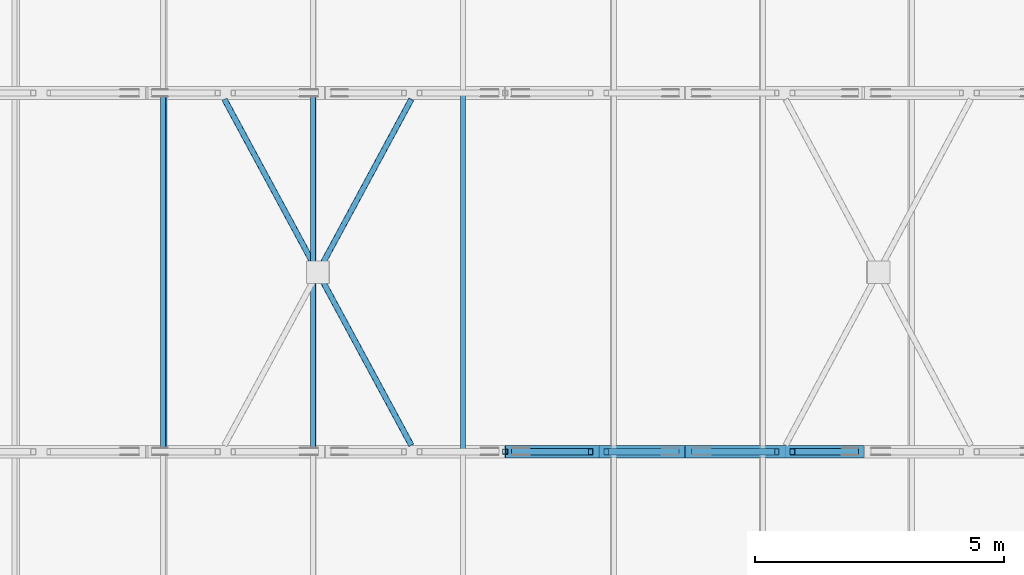
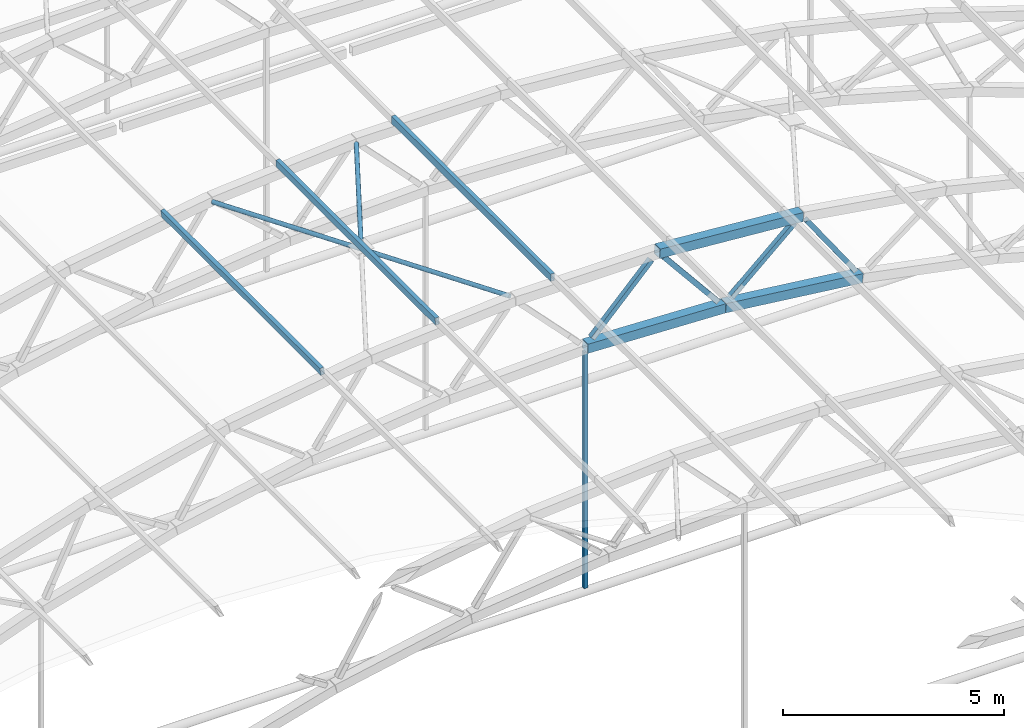
# One storey, part 55 of 127: 13 members.
"""IFC4 building model written with IfcOpenShell, lengths in metres."""

from ifc_helpers import new_model, si_unit, direction, frame, origin, origin_2d, place, context, subcontext, project, spatial, hollow_rectangle, hollow_circle, extrude, material, material_profile, profile_set, type_object, element, save


model = new_model("IFC4")

# Units and contexts
model_context = context("Model", 3, precision=1e-05, world=origin(), true_north=direction((0.0, 1.0)))
body_context = subcontext(model_context, "Body", "Model", "MODEL_VIEW")
ifc_project = project(units=[si_unit("LENGTHUNIT", "METRE"), si_unit("AREAUNIT", "SQUARE_METRE"), si_unit("VOLUMEUNIT", "CUBIC_METRE"), si_unit("PLANEANGLEUNIT", "RADIAN"), si_unit("MASSUNIT", "GRAM", prefix="KILO")], contexts=[model_context])

# Site, building, storey
site_placement = place(None, origin())
site = spatial("IfcSite", under=ifc_project, at=site_placement, CompositionType="ELEMENT")
building_placement = place(site_placement, origin())
building = spatial("IfcBuilding", under=site, at=building_placement, Name="Verrick Yard Athletic Hall", CompositionType="ELEMENT")
storey_placement = place(building_placement, frame((0.0, 0.0, 14.0)))
storey = spatial("IfcBuildingStorey", under=building, at=storey_placement, Name="L03", CompositionType="ELEMENT", Elevation=14.0)

# Members
ifc_material = material(Name="Structural steel HSS Class C 350W (CSA G40.20/G40.21)", Category="steel")
ifc_material_profile_1 = material_profile(ifc_material, hollow_rectangle(XDim=0.25390625, YDim=0.25390625, WallThickness=0.009521484375, at=origin_2d()), Name="HSS254x254x9.5")
ifc_profile_set_1 = profile_set([ifc_material_profile_1], Name="Structural steel HSS Class C 350W (CSA G40.20/G40.21)")
member_type_1 = type_object("IfcMemberType", Name="HB bottom chord HSS254x254x9.5", PredefinedType="CHORD", material=ifc_profile_set_1)
member_1_placement = place(storey_placement, frame((145.60498046875, 86.39990234375, 6.757080078125), z_axis=(0.999229759959, 0.0, -0.039241391579), x_axis=(0.0, 1.0, 0.0)))
element("IfcMember", 1, at=member_1_placement, inside=storey, type_object=member_type_1, Name="Truss TA3 bottom chord 8", PredefinedType="CHORD", context=body_context, shape_type="SweptSolid", body=[
    extrude(hollow_rectangle(XDim=0.25390625, YDim=0.25390625, WallThickness=0.009521484375, at=origin_2d()), origin(), (0.0, 0.0, 1.0), 3.595947265625),
])
member_2_placement = place(storey_placement, frame((149.208251953125, 86.39990234375, 6.615234375), z_axis=(0.993094882284, 0.0, -0.117313915545), x_axis=(0.0, 1.0, 0.0)))
element("IfcMember", 2, at=member_2_placement, inside=storey, type_object=member_type_1, Name="Truss TA3 bottom chord 9", PredefinedType="CHORD", context=body_context, shape_type="SweptSolid", body=[
    extrude(hollow_rectangle(XDim=0.25390625, YDim=0.25390625, WallThickness=0.009521484375, at=origin_2d()), origin(), (0.0, 0.0, 1.0), 3.59619140625),
])
ifc_material_profile_2 = material_profile(ifc_material, hollow_rectangle(XDim=0.1015625, YDim=0.203125, WallThickness=0.009521484375, at=origin_2d()), Name="HSS203x102x9.5")
ifc_profile_set_2 = profile_set([ifc_material_profile_2], Name="Structural steel HSS Class C 350W (CSA G40.20/G40.21)")
member_type_2 = type_object("IfcMemberType", Name="HB purlin HSS203x102x9.5", PredefinedType="PURLIN", material=ifc_profile_set_2)
for number, where, z_axis, x_axis, name in (
    (3, (138.750244140625, 86.39990234375, 8.464599609375), (0.0, 1.0, 0.0), (-0.987728086354, 0.0, -0.156183313539), "HB-PU-A-3-7"),
    (4, (141.747802734375, 86.39990234375, 8.794677734375), (0.0, 1.0, 0.0), (-0.996927304266, 0.0, -0.078332305011), "HB-PU-A-3-8"),
    (5, (144.759765625, 86.39990234375, 8.948974609375), (0.0, 1.0, 0.0), (-1.0, 0.0, 0.0), "HB-PU-A-3-9"),
):
    element("IfcMember", number, at=place(storey_placement, frame(where, z_axis=z_axis, x_axis=x_axis)), inside=storey, type_object=member_type_2, Name=name, PredefinedType="PURLIN", context=body_context, shape_type="SweptSolid", body=[
        extrude(hollow_rectangle(XDim=0.1015625, YDim=0.203125, WallThickness=0.009521484375, at=origin_2d()), origin(), (0.0, 0.0, 1.0), 7.2001953125),
    ])
ifc_material_profile_3 = material_profile(ifc_material, hollow_circle(Radius=0.05712890625, WallThickness=0.00634765625, at=origin_2d()), Name="HSS114x6.4")
ifc_profile_set_3 = profile_set([ifc_material_profile_3], Name="Structural steel HSS Class C 350W (CSA G40.20/G40.21)")
member_type_3 = type_object("IfcMemberType", Name="HB roof brace HSS114x6.4", PredefinedType="BRACE", material=ifc_profile_set_3)
member_3_placement = place(storey_placement, frame((141.89306640625, 90.0927734375, 8.576904296875), z_axis=(0.474853047314, 0.879275169194, 0.037279488936), x_axis=(-0.87988679764, 0.475183357599, 0.0)))
element("IfcMember", 6, at=member_3_placement, inside=storey, type_object=member_type_3, Name="HB-BR-A-3-5b2", PredefinedType="BRACE", context=body_context, shape_type="SweptSolid", body=[
    extrude(hollow_circle(Radius=0.05712890625, WallThickness=0.00634765625, at=origin_2d()), origin(), (0.0, 0.0, 1.0), 3.84423828125),
])
member_4_placement = place(storey_placement, frame((143.718505859375, 86.527099609375, 8.72021484375), z_axis=(-0.474866064096, 0.879267134627, -0.037303178611), x_axis=(-0.879879535869, -0.475196803818, 0.0)))
element("IfcMember", 7, at=member_4_placement, inside=storey, type_object=member_type_3, Name="HB-BR-A-3-5a", PredefinedType="BRACE", context=body_context, shape_type="SweptSolid", body=[
    extrude(hollow_circle(Radius=0.05712890625, WallThickness=0.00634765625, at=origin_2d()), origin(), (0.0, 0.0, 1.0), 7.8994140625),
])
ifc_material_profile_4 = material_profile(ifc_material, hollow_rectangle(XDim=0.25390625, YDim=0.25390625, WallThickness=0.009521484375, at=origin_2d()), Name="HSS254x254x9.5")
ifc_profile_set_4 = profile_set([ifc_material_profile_4], Name="Structural steel HSS Class C 350W (CSA G40.20/G40.21)")
member_type_4 = type_object("IfcMemberType", Name="HB top chord HSS254x254x9.5", PredefinedType="CHORD", material=ifc_profile_set_4)
member_5_placement = place(storey_placement, frame((147.486328125, 86.39990234375, 8.719970703125), z_axis=(0.996928028323, 0.0, -0.078323089468), x_axis=(0.0, 1.0, 0.0)))
element("IfcMember", 8, at=member_5_placement, inside=storey, type_object=member_type_4, Name="Truss TA3 top chord 9", PredefinedType="CHORD", context=body_context, shape_type="SweptSolid", body=[
    extrude(hollow_rectangle(XDim=0.25390625, YDim=0.25390625, WallThickness=0.009521484375, at=origin_2d()), origin(), (0.0, 0.0, 1.0), 3.7529296875),
])
ifc_material_profile_5 = material_profile(ifc_material, hollow_rectangle(XDim=0.1015625, YDim=0.1015625, WallThickness=0.00634765625, at=origin_2d()), Name="HSS102x102x6.4")
ifc_profile_set_5 = profile_set([ifc_material_profile_5], Name="Structural steel HSS Class C 350W (CSA G40.20/G40.21)")
member_type_5 = type_object("IfcMemberType", Name="HB truss hanger HSS102x102x6.4", PredefinedType="MEMBER", material=ifc_profile_set_5)
member_6_placement = place(storey_placement, frame((145.60009765625, 86.39990234375, 6.628173828125), z_axis=(0.0, 0.0, -1.0), x_axis=(0.0, -1.0, 0.0)))
element("IfcMember", 9, at=member_6_placement, inside=storey, type_object=member_type_5, Name="Truss TA3 hanger 2", PredefinedType="MEMBER", context=body_context, shape_type="SweptSolid", body=[
    extrude(hollow_rectangle(XDim=0.1015625, YDim=0.1015625, WallThickness=0.00634765625, at=origin_2d()), origin(), (0.0, 0.0, 1.0), 6.5185546875),
])
ifc_material_profile_6 = material_profile(ifc_material, hollow_rectangle(XDim=0.126953125, YDim=0.126953125, WallThickness=0.009521484375, at=origin_2d()), Name="HSS127x127x9.5")
ifc_profile_set_6 = profile_set([ifc_material_profile_6], Name="Structural steel HSS Class C 350W (CSA G40.20/G40.21)")
member_type_6 = type_object("IfcMemberType", Name="HB truss web HSS127x127x9.5", PredefinedType="BRACE", material=ifc_profile_set_6)
member_7_placement = place(storey_placement, frame((145.772216796875, 86.39990234375, 6.936767578125), z_axis=(0.691917233653, 0.0, 0.721976829112), x_axis=(0.0, 1.0, 0.0)))
element("IfcMember", 10, at=member_7_placement, inside=storey, type_object=member_type_6, Name="Truss TA3 web 15", PredefinedType="BRACE", context=body_context, shape_type="SweptSolid", body=[
    extrude(hollow_rectangle(XDim=0.126953125, YDim=0.126953125, WallThickness=0.009521484375, at=origin_2d()), origin(), (0.0, 0.0, 1.0), 2.2333984375),
])
for number, where, z_axis, x_axis, name in (
    (11, (147.63134765625, 86.39990234375, 8.537109375), (0.633202076169, 0.0, -0.773986518445), (0.0, 1.0, 0.0), "Truss TA3 web 16"),
    (12, (149.388916015625, 86.39990234375, 6.781494140625), (0.746340924984, 0.0, 0.665563838932), (0.0, 1.0, 0.0), "Truss TA3 web 17"),
    (13, (151.367919921875, 86.39990234375, 8.231201171875), (0.570664111571, 0.0, -0.821183579819), (0.0, 1.0, 0.0), "Truss TA3 web 18"),
):
    element("IfcMember", number, at=place(storey_placement, frame(where, z_axis=z_axis, x_axis=x_axis)), inside=storey, type_object=member_type_6, Name=name, PredefinedType="BRACE", context=body_context, shape_type="SweptSolid", body=[
        extrude(hollow_rectangle(XDim=0.126953125, YDim=0.126953125, WallThickness=0.009521484375, at=origin_2d()), origin(), (0.0, 0.0, 1.0), 2.233642578125),
    ])

save(model, "model.ifc")
